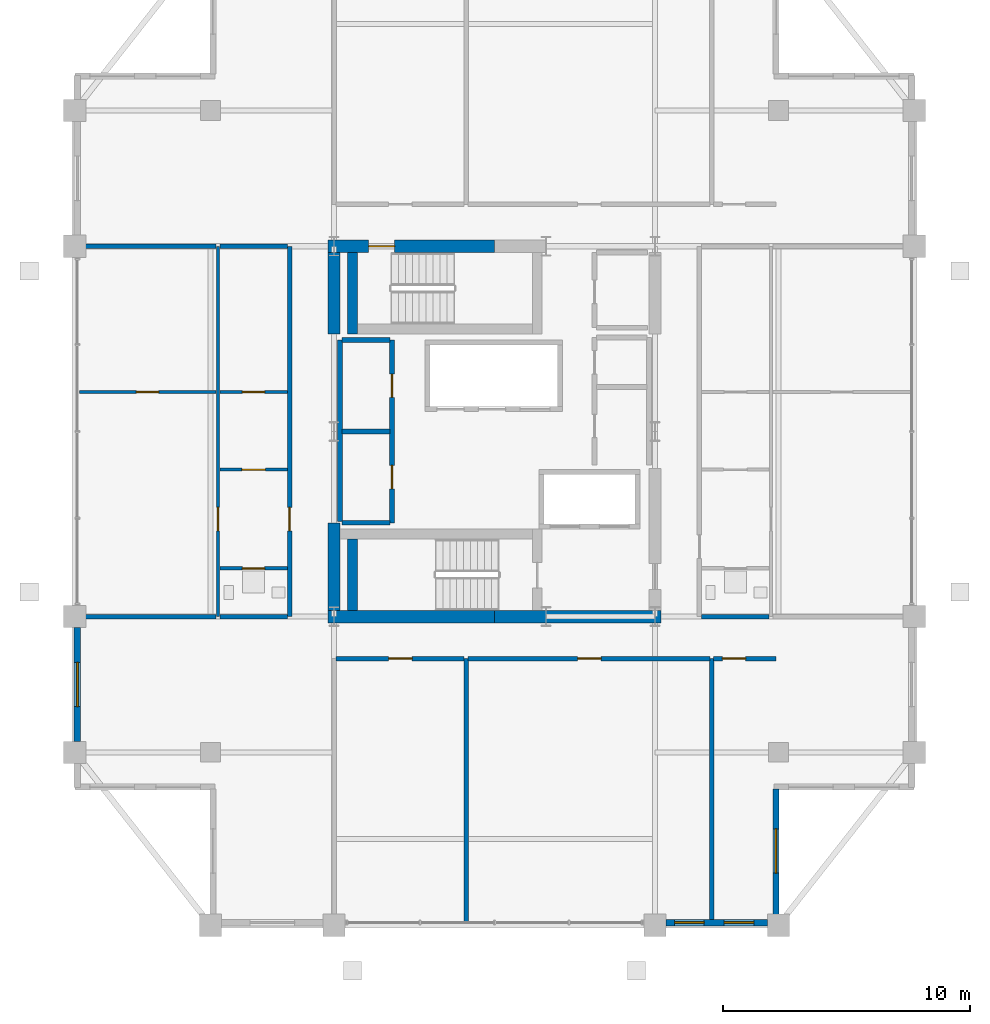
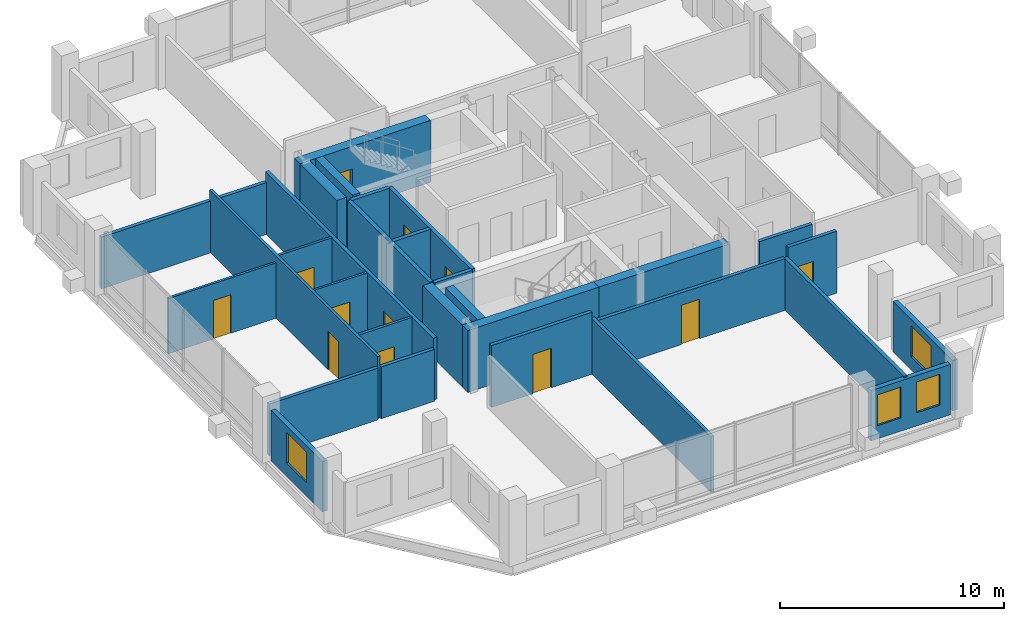
# One storey, part 16 of 21: 31 walls, 12 doors, 4 windows, 16 openings.
"""IFC4 building model written with IfcOpenShell, lengths in metres."""

from ifc_helpers import new_model, si_unit, direction, frame, frame_2d, origin, place, context, subcontext, project, spatial, rectangle, extrude, material, layer, layer_set, type_object, element, fill, save


model = new_model("IFC4")

# Units and contexts
model_context = context("Model", 3, precision=1e-05, world=origin(), true_north=direction((0.0, 1.0)))
body_context = subcontext(model_context, "Body", "Model", "MODEL_VIEW")
ifc_project = project(units=[si_unit("LENGTHUNIT", "METRE"), si_unit("AREAUNIT", "SQUARE_METRE"), si_unit("VOLUMEUNIT", "CUBIC_METRE"), si_unit("PLANEANGLEUNIT", "RADIAN"), si_unit("MASSUNIT", "GRAM", prefix="KILO")], contexts=[model_context])

# Site, building, storey
site_placement = place(None, origin())
site = spatial("IfcSite", under=ifc_project, at=site_placement, CompositionType="ELEMENT")
building_placement = place(site_placement, origin())
building = spatial("IfcBuilding", under=site, at=building_placement, Name="Barlavira Tower and Art Museum", CompositionType="ELEMENT")
storey_placement = place(building_placement, frame((0.0, 0.0, 287.10009765625)))
storey = spatial("IfcBuildingStorey", under=building, at=storey_placement, Name="L75", CompositionType="ELEMENT", Elevation=287.10009765625)

# Wall, opening, door
ifc_material_1 = material(Name="Gypsum acoustic stud partition", Category="gypsum")
ifc_layer_1 = layer(ifc_material_1, 0.1201171875, Name="Gypsum acoustic stud partition")
ifc_layer_set_1 = layer_set([ifc_layer_1], Name="Gypsum acoustic stud partition")
wall_type_1 = type_object("IfcWallType", Name="Apartment Internal Acoustic Partition 120", PredefinedType="PARTITIONING", material=ifc_layer_set_1)
wall_1_placement = place(storey_placement, frame((-11.1201171875, -1.550048828125, 0.0), z_axis=(0.0, 0.0, 1.0), x_axis=(1.0, 0.0, 0.0)))
wall_1 = element("IfcWall", 1, at=wall_1_placement, inside=storey, type_object=wall_type_1, Name="L75 Partition Wall 26", PredefinedType="PARTITIONING", context=body_context, shape_type="SweptSolid", body=[
    extrude(rectangle(XDim=2.740234375, YDim=0.1201171875, at=frame_2d((1.3701171875, 0.0))), origin(), (0.0, 0.0, 1.0), 3.3798828125),
])
opening_1_placement = place(wall_1_placement, frame((0.885009765625, 0.0, 0.0)))
opening_1 = element("IfcOpeningElement", 2, at=opening_1_placement, cuts=wall_1, Name="Opening D-02", PredefinedType="OPENING", context=body_context, shape_type="SweptSolid", body=[
    extrude(rectangle(XDim=0.949951171875, YDim=2.10009765625, at=frame_2d((0.47509765625, 1.050048828125))), frame((0.0, 0.070068359375, 0.0), z_axis=(0.0, -1.0, 0.0), x_axis=(1.0, 0.0, 0.0)), (0.0, 0.0, 1.0), 0.14013671875),
])
ifc_material_2 = material(Name="Engineered coastal hardwood", Category="wood")
door_type_1 = type_object("IfcDoorType", Name="Living and Salon Glazed-Leaf Door 950x2100", OperationType="NOTDEFINED", PredefinedType="DOOR", material=ifc_material_2)
door_1_placement = place(opening_1_placement, origin())
door_1 = element("IfcDoor", 3, at=door_1_placement, inside=storey, type_object=door_type_1, Name="Apartment W1 Kitchen Door", OperationType="SINGLE_SWING_RIGHT", OverallHeight=2.10009765625, OverallWidth=0.949951171875, PredefinedType="DOOR", context=body_context, shape_type="SweptSolid", body=[
    extrude(rectangle(XDim=0.949951171875, YDim=2.10009765625, at=frame_2d((0.47509765625, 1.050048828125))), frame((0.0, 0.02490234375, 0.0), z_axis=(0.0, -1.0, 0.0), x_axis=(1.0, 0.0, 0.0)), (0.0, 0.0, 1.0), 0.050048828125),
])
fill(opening_1, door_1)

wall_2_placement = place(storey_placement, frame((-16.820068359375, 1.60009765625, 0.0), z_axis=(0.0, 0.0, 1.0), x_axis=(1.0, 0.0, 0.0)))
wall_2 = element("IfcWall", 4, at=wall_2_placement, inside=storey, type_object=wall_type_1, Name="L75 Partition Wall 29", PredefinedType="PARTITIONING", context=body_context, shape_type="SweptSolid", body=[
    extrude(rectangle(XDim=5.5400390625, YDim=0.1201171875, at=frame_2d((2.77001953125, 0.0))), origin(), (0.0, 0.0, 1.0), 3.017822265625),
])
opening_2_placement = place(wall_2_placement, frame((2.31005859375, 0.0, 0.0)))
opening_2 = element("IfcOpeningElement", 5, at=opening_2_placement, cuts=wall_2, Name="Opening D-01", PredefinedType="OPENING", context=body_context, shape_type="SweptSolid", body=[
    extrude(rectangle(XDim=0.89990234375, YDim=2.10009765625, at=frame_2d((0.449951171875, 1.050048828125))), frame((0.0, 0.070068359375, 0.0), z_axis=(0.0, -1.0, 0.0), x_axis=(1.0, 0.0, 0.0)), (0.0, 0.0, 1.0), 0.14013671875),
])
door_type_2 = type_object("IfcDoorType", Name="Internal Bedroom Timber Flush Door 900x2100", OperationType="NOTDEFINED", PredefinedType="DOOR", material=ifc_material_2)
door_2_placement = place(opening_2_placement, origin())
door_2 = element("IfcDoor", 6, at=door_2_placement, inside=storey, type_object=door_type_2, Name="Apartment W1 Bedroom 1 Door", OperationType="SINGLE_SWING_LEFT", OverallHeight=2.10009765625, OverallWidth=0.89990234375, PredefinedType="DOOR", context=body_context, shape_type="SweptSolid", body=[
    extrude(rectangle(XDim=0.89990234375, YDim=2.10009765625, at=frame_2d((0.449951171875, 1.050048828125))), frame((0.0, 0.02490234375, 0.0), z_axis=(0.0, -1.0, 0.0), x_axis=(1.0, 0.0, 0.0)), (0.0, 0.0, 1.0), 0.050048828125),
])
fill(opening_2, door_2)

wall_3_placement = place(storey_placement, frame((-11.1201171875, 1.60009765625, 0.0), z_axis=(0.0, 0.0, 1.0), x_axis=(1.0, 0.0, 0.0)))
wall_3 = element("IfcWall", 7, at=wall_3_placement, inside=storey, type_object=wall_type_1, Name="L75 Partition Wall 30", PredefinedType="PARTITIONING", context=body_context, shape_type="SweptSolid", body=[
    extrude(rectangle(XDim=2.740234375, YDim=0.1201171875, at=frame_2d((1.3701171875, 0.0))), origin(), (0.0, 0.0, 1.0), 3.3798828125),
])
opening_3_placement = place(wall_3_placement, frame((0.909912109375, 0.0, 0.0)))
opening_3 = element("IfcOpeningElement", 8, at=opening_3_placement, cuts=wall_3, Name="Opening D-01", PredefinedType="OPENING", context=body_context, shape_type="SweptSolid", body=[
    extrude(rectangle(XDim=0.89990234375, YDim=2.10009765625, at=frame_2d((0.449951171875, 1.050048828125))), frame((0.0, 0.070068359375, 0.0), z_axis=(0.0, -1.0, 0.0), x_axis=(1.0, 0.0, 0.0)), (0.0, 0.0, 1.0), 0.14013671875),
])
door_3_placement = place(opening_3_placement, origin())
door_3 = element("IfcDoor", 9, at=door_3_placement, inside=storey, type_object=door_type_2, Name="Apartment W1 Walk-In Dressing Room Door", OperationType="SINGLE_SWING_LEFT", OverallHeight=2.10009765625, OverallWidth=0.89990234375, PredefinedType="DOOR", context=body_context, shape_type="SweptSolid", body=[
    extrude(rectangle(XDim=0.89990234375, YDim=2.10009765625, at=frame_2d((0.449951171875, 1.050048828125))), frame((0.0, 0.02490234375, 0.0), z_axis=(0.0, -1.0, 0.0), x_axis=(1.0, 0.0, 0.0)), (0.0, 0.0, 1.0), 0.050048828125),
])
fill(opening_3, door_3)

# Walls
ifc_material_3 = material(Name="Concrete C60", Category="concrete")
ifc_layer_2 = layer(ifc_material_3, 0.5, Name="Concrete C60")
ifc_layer_set_2 = layer_set([ifc_layer_2], Name="Concrete C60")
wall_type_2 = type_object("IfcWallType", Name="Core Structural Shear Wall 500 Concrete C60", PredefinedType="SHEAR", material=ifc_layer_set_2)
for number, where, z_axis, x_axis, name in (
    (10, (-6.75, -7.5, 0.0), (0.0, 0.0, 1.0), (1.0, 0.0, 0.0), "L75 Core Shear Wall CS-SW"),
    (11, (0.0, -7.5, 0.0), (0.0, 0.0, 1.0), (1.0, 0.0, 0.0), "L75 Core Shear Wall CS-SE"),
):
    element("IfcWall", number, at=place(storey_placement, frame(where, z_axis=z_axis, x_axis=x_axis)), inside=storey, type_object=wall_type_2, Name=name, PredefinedType="SHEAR", context=body_context, shape_type="SweptSolid", body=[
        extrude(rectangle(XDim=6.75, YDim=0.5, at=frame_2d((3.375, 0.0))), origin(), (0.0, 0.0, 1.0), 3.3798828125),
    ])

# Wall, opening, door
wall_4_placement = place(storey_placement, frame((-6.75, 7.5, 0.0), z_axis=(0.0, 0.0, 1.0), x_axis=(1.0, 0.0, 0.0)))
wall_4 = element("IfcWall", 12, at=wall_4_placement, inside=storey, type_object=wall_type_2, Name="L75 Core Shear Wall CS-NW", PredefinedType="SHEAR", context=body_context, shape_type="SweptSolid", body=[
    extrude(rectangle(XDim=6.75, YDim=0.5, at=frame_2d((3.375, 0.0))), origin(), (0.0, 0.0, 1.0), 3.3798828125),
])
opening_4_placement = place(wall_4_placement, frame((1.64990234375, 0.0, 0.0)))
opening_4 = element("IfcOpeningElement", 13, at=opening_4_placement, cuts=wall_4, Name="Opening FD-90", PredefinedType="OPENING", context=body_context, shape_type="SweptSolid", body=[
    extrude(rectangle(XDim=1.050048828125, YDim=2.14990234375, at=frame_2d((0.52490234375, 1.074951171875))), frame((0.0, 0.260009765625, 0.0), z_axis=(0.0, -1.0, 0.0), x_axis=(1.0, 0.0, 0.0)), (0.0, 0.0, 1.0), 0.52001953125),
])
ifc_material_4 = material(Name="Brushed stainless steel", Category="steel")
door_type_3 = type_object("IfcDoorType", Name="Stair and Refuge Fire Door 1050x2150 FD90S", OperationType="NOTDEFINED", PredefinedType="DOOR", material=ifc_material_4)
door_4_placement = place(opening_4_placement, origin())
door_4 = element("IfcDoor", 14, at=door_4_placement, inside=storey, type_object=door_type_3, Name="L75 Stair ST-T2 Fire Door", OperationType="SINGLE_SWING_LEFT", OverallHeight=2.14990234375, OverallWidth=1.050048828125, PredefinedType="DOOR", context=body_context, shape_type="SweptSolid", body=[
    extrude(rectangle(XDim=1.050048828125, YDim=2.14990234375, at=frame_2d((0.52490234375, 1.074951171875))), frame((0.0, 0.02490234375, 0.0), z_axis=(0.0, -1.0, 0.0), x_axis=(1.0, 0.0, 0.0)), (0.0, 0.0, 1.0), 0.050048828125),
])
fill(opening_4, door_4)

# Walls
wall_5_placement = place(storey_placement, frame((-6.5, -7.25, 0.0), z_axis=(0.0, 0.0, 1.0), x_axis=(0.0, 1.0, 0.0)))
element("IfcWall", 15, at=wall_5_placement, inside=storey, type_object=wall_type_2, Name="L75 Core Shear Wall CS-W1", PredefinedType="SHEAR", context=body_context, shape_type="SweptSolid", body=[
    extrude(rectangle(XDim=3.550048828125, YDim=0.5, at=frame_2d((1.77490234375, 0.0))), origin(), (0.0, 0.0, 1.0), 3.3798828125),
])
wall_6_placement = place(storey_placement, frame((-6.5, 3.949951171875, 0.0), z_axis=(0.0, 0.0, 1.0), x_axis=(0.0, 1.0, 0.0)))
element("IfcWall", 16, at=wall_6_placement, inside=storey, type_object=wall_type_2, Name="L75 Core Shear Wall CS-W2", PredefinedType="SHEAR", context=body_context, shape_type="SweptSolid", body=[
    extrude(rectangle(XDim=3.300048828125, YDim=0.5, at=frame_2d((1.64990234375, 0.0))), origin(), (0.0, 0.0, 1.0), 3.3798828125),
])
ifc_material_5 = material(Name="Autoclaved aerated concrete masonry", Category="masonry")
ifc_layer_3 = layer(ifc_material_5, 0.199951171875, Name="Autoclaved aerated concrete masonry")
ifc_layer_set_3 = layer_set([ifc_layer_3], Name="Autoclaved aerated concrete masonry")
wall_type_3 = type_object("IfcWallType", Name="Fire Compartment and Shaft Wall 200", PredefinedType="SOLIDWALL", material=ifc_layer_set_3)
wall_7_placement = place(storey_placement, frame((-6.25, -3.639892578125, 0.0), z_axis=(0.0, 0.0, 1.0), x_axis=(0.0, 1.0, 0.0)))
element("IfcWall", 17, at=wall_7_placement, inside=storey, type_object=wall_type_3, Name="L75 Partition Wall 5", PredefinedType="SOLIDWALL", context=body_context, shape_type="SweptSolid", body=[
    extrude(rectangle(XDim=7.33984375, YDim=0.199951171875, at=frame_2d((3.669921875, 0.0))), origin(), (0.0, 0.0, 1.0), 3.3798828125),
])

# Wall, openings, doors
wall_8_placement = place(storey_placement, frame((-4.14990234375, -3.699951171875, 0.0), z_axis=(0.0, 0.0, 1.0), x_axis=(0.0, 1.0, 0.0)))
wall_8 = element("IfcWall", 18, at=wall_8_placement, inside=storey, type_object=wall_type_3, Name="L75 Partition Wall 6", PredefinedType="SOLIDWALL", context=body_context, shape_type="SweptSolid", body=[
    extrude(rectangle(XDim=7.39990234375, YDim=0.199951171875, at=frame_2d((3.699951171875, 0.0))), origin(), (0.0, 0.0, 1.0), 3.3798828125),
])
opening_5_placement = place(wall_8_placement, frame((1.375, 0.0, 0.0)))
opening_5 = element("IfcOpeningElement", 19, at=opening_5_placement, cuts=wall_8, Name="Opening FD-60", PredefinedType="OPENING", context=body_context, shape_type="SweptSolid", body=[
    extrude(rectangle(XDim=0.949951171875, YDim=2.14990234375, at=frame_2d((0.47509765625, 1.074951171875))), frame((0.0, 0.10986328125, 0.0), z_axis=(0.0, -1.0, 0.0), x_axis=(1.0, 0.0, 0.0)), (0.0, 0.0, 1.0), 0.219970703125),
])
opening_6_placement = place(wall_8_placement, frame((5.074951171875, 0.0, 0.0)))
opening_6 = element("IfcOpeningElement", 20, at=opening_6_placement, cuts=wall_8, Name="Opening FD-60", PredefinedType="OPENING", context=body_context, shape_type="SweptSolid", body=[
    extrude(rectangle(XDim=0.949951171875, YDim=2.14990234375, at=frame_2d((0.47509765625, 1.074951171875))), frame((0.0, 0.10986328125, 0.0), z_axis=(0.0, -1.0, 0.0), x_axis=(1.0, 0.0, 0.0)), (0.0, 0.0, 1.0), 0.219970703125),
])
door_type_4 = type_object("IfcDoorType", Name="Apartment Entrance and Riser Fire Door 950x2150 FD60S", OperationType="NOTDEFINED", PredefinedType="DOOR", material=ifc_material_4)
door_5_placement = place(opening_5_placement, origin())
door_5 = element("IfcDoor", 21, at=door_5_placement, inside=storey, type_object=door_type_4, Name="Reclaimed Core Linen and Amenity Store Door", OperationType="SINGLE_SWING_LEFT", OverallHeight=2.14990234375, OverallWidth=0.949951171875, PredefinedType="DOOR", context=body_context, shape_type="SweptSolid", body=[
    extrude(rectangle(XDim=0.949951171875, YDim=2.14990234375, at=frame_2d((0.47509765625, 1.074951171875))), frame((0.0, 0.02490234375, 0.0), z_axis=(0.0, -1.0, 0.0), x_axis=(1.0, 0.0, 0.0)), (0.0, 0.0, 1.0), 0.050048828125),
])
fill(opening_5, door_5)
door_6_placement = place(opening_6_placement, origin())
door_6 = element("IfcDoor", 22, at=door_6_placement, inside=storey, type_object=door_type_4, Name="Reclaimed Core Telecom and BMS Room Door", OperationType="SINGLE_SWING_RIGHT", OverallHeight=2.14990234375, OverallWidth=0.949951171875, PredefinedType="DOOR", context=body_context, shape_type="SweptSolid", body=[
    extrude(rectangle(XDim=0.949951171875, YDim=2.14990234375, at=frame_2d((0.47509765625, 1.074951171875))), frame((0.0, 0.02490234375, 0.0), z_axis=(0.0, -1.0, 0.0), x_axis=(1.0, 0.0, 0.0)), (0.0, 0.0, 1.0), 0.050048828125),
])
fill(opening_6, door_6)

# Walls
for number, where, z_axis, x_axis, name in (
    (23, (-6.169921875, -3.699951171875, 0.0), (0.0, 0.0, 1.0), (1.0, 0.0, 0.0), "L75 Partition Wall 25"),
    (24, (-6.169921875, 0.0, 0.0), (0.0, 0.0, 1.0), (1.0, 0.0, 0.0), "L75 Partition Wall 28"),
    (25, (-6.169921875, 3.699951171875, 0.0), (0.0, 0.0, 1.0), (1.0, 0.0, 0.0), "L75 Partition Wall 34"),
):
    element("IfcWall", number, at=place(storey_placement, frame(where, z_axis=z_axis, x_axis=x_axis)), inside=storey, type_object=wall_type_3, Name=name, PredefinedType="SOLIDWALL", context=body_context, shape_type="SweptSolid", body=[
        extrude(rectangle(XDim=1.93994140625, YDim=0.199951171875, at=frame_2d((0.969970703125, 0.0))), origin(), (0.0, 0.0, 1.0), 3.3798828125),
    ])

# Wall, opening, door
ifc_layer_4 = layer(ifc_material_1, 0.179931640625, Name="Gypsum acoustic stud partition")
ifc_layer_set_4 = layer_set([ifc_layer_4], Name="Gypsum acoustic stud partition")
wall_type_4 = type_object("IfcWallType", Name="Inter-Tenancy Party Partition Wall 180", PredefinedType="PARTITIONING", material=ifc_layer_set_4)
wall_9_placement = place(storey_placement, frame((-8.300048828125, -7.5, 0.0), z_axis=(0.0, 0.0, 1.0), x_axis=(0.0, 1.0, 0.0)))
wall_9 = element("IfcWall", 26, at=wall_9_placement, inside=storey, type_object=wall_type_4, Name="L75 Partition Wall 2", PredefinedType="PARTITIONING", context=body_context, shape_type="SweptSolid", body=[
    extrude(rectangle(XDim=15.0, YDim=0.179931640625, at=frame_2d((7.5, 0.0))), origin(), (0.0, 0.0, 1.0), 3.3798828125),
])
opening_7_placement = place(wall_9_placement, frame((3.47509765625, 0.0, 0.0)))
opening_7 = element("IfcOpeningElement", 27, at=opening_7_placement, cuts=wall_9, Name="Opening FD-60", PredefinedType="OPENING", context=body_context, shape_type="SweptSolid", body=[
    extrude(rectangle(XDim=0.949951171875, YDim=2.14990234375, at=frame_2d((0.47509765625, 1.074951171875))), frame((0.0, 0.10009765625, 0.0), z_axis=(0.0, -1.0, 0.0), x_axis=(1.0, 0.0, 0.0)), (0.0, 0.0, 1.0), 0.199951171875),
])
door_7_placement = place(opening_7_placement, origin())
door_7 = element("IfcDoor", 28, at=door_7_placement, inside=storey, type_object=door_type_4, Name="Apartment Entrance Hall W1 Door", OperationType="SINGLE_SWING_LEFT", OverallHeight=2.14990234375, OverallWidth=0.949951171875, PredefinedType="DOOR", context=body_context, shape_type="SweptSolid", body=[
    extrude(rectangle(XDim=0.949951171875, YDim=2.14990234375, at=frame_2d((0.47509765625, 1.074951171875))), frame((0.0, 0.02490234375, 0.0), z_axis=(0.0, -1.0, 0.0), x_axis=(1.0, 0.0, 0.0)), (0.0, 0.0, 1.0), 0.050048828125),
])
fill(opening_7, door_7)

# Walls
wall_10_placement = place(storey_placement, frame((-1.14990234375, -19.89990234375, 0.0), z_axis=(0.0, 0.0, 1.0), x_axis=(0.0, 1.0, 0.0)))
element("IfcWall", 29, at=wall_10_placement, inside=storey, type_object=wall_type_4, Name="L75 Partition Wall 7", PredefinedType="PARTITIONING", context=body_context, shape_type="SweptSolid", body=[
    extrude(rectangle(XDim=10.699951171875, YDim=0.179931640625, at=frame_2d((5.35009765625, 0.0))), origin(), (0.0, 0.0, 1.0), 3.017822265625),
])
wall_11_placement = place(storey_placement, frame((8.800048828125, -19.89990234375, 0.0), z_axis=(0.0, 0.0, 1.0), x_axis=(0.0, 1.0, 0.0)))
element("IfcWall", 30, at=wall_11_placement, inside=storey, type_object=wall_type_4, Name="L75 Partition Wall 13", PredefinedType="PARTITIONING", context=body_context, shape_type="SweptSolid", body=[
    extrude(rectangle(XDim=10.699951171875, YDim=0.179931640625, at=frame_2d((5.35009765625, 0.0))), origin(), (0.0, 0.0, 1.0), 2.825927734375),
])

# Wall, opening, door
wall_12_placement = place(storey_placement, frame((-6.419921875, -9.199951171875, 0.0), z_axis=(0.0, 0.0, 1.0), x_axis=(1.0, 0.0, 0.0)))
wall_12 = element("IfcWall", 31, at=wall_12_placement, inside=storey, type_object=wall_type_4, Name="L75 Partition Wall 16", PredefinedType="PARTITIONING", context=body_context, shape_type="SweptSolid", body=[
    extrude(rectangle(XDim=5.18994140625, YDim=0.179931640625, at=frame_2d((2.594970703125, 0.0))), origin(), (0.0, 0.0, 1.0), 3.3798828125),
])
opening_8_placement = place(wall_12_placement, frame((2.135009765625, 0.0, 0.0)))
opening_8 = element("IfcOpeningElement", 32, at=opening_8_placement, cuts=wall_12, Name="Opening FD-60", PredefinedType="OPENING", context=body_context, shape_type="SweptSolid", body=[
    extrude(rectangle(XDim=0.949951171875, YDim=2.14990234375, at=frame_2d((0.47509765625, 1.074951171875))), frame((0.0, 0.10009765625, 0.0), z_axis=(0.0, -1.0, 0.0), x_axis=(1.0, 0.0, 0.0)), (0.0, 0.0, 1.0), 0.199951171875),
])
door_8_placement = place(opening_8_placement, origin())
door_8 = element("IfcDoor", 33, at=door_8_placement, inside=storey, type_object=door_type_4, Name="Resident Art Collectors Salon Door", OperationType="SINGLE_SWING_RIGHT", OverallHeight=2.14990234375, OverallWidth=0.949951171875, PredefinedType="DOOR", context=body_context, shape_type="SweptSolid", body=[
    extrude(rectangle(XDim=0.949951171875, YDim=2.14990234375, at=frame_2d((0.47509765625, 1.074951171875))), frame((0.0, 0.02490234375, 0.0), z_axis=(0.0, -1.0, 0.0), x_axis=(1.0, 0.0, 0.0)), (0.0, 0.0, 1.0), 0.050048828125),
])
fill(opening_8, door_8)

wall_13_placement = place(storey_placement, frame((-1.070068359375, -9.199951171875, 0.0), z_axis=(0.0, 0.0, 1.0), x_axis=(1.0, 0.0, 0.0)))
wall_13 = element("IfcWall", 34, at=wall_13_placement, inside=storey, type_object=wall_type_4, Name="L75 Partition Wall 17", PredefinedType="PARTITIONING", context=body_context, shape_type="SweptSolid", body=[
    extrude(rectangle(XDim=9.7900390625, YDim=0.179931640625, at=frame_2d((4.89501953125, 0.0))), origin(), (0.0, 0.0, 1.0), 2.825927734375),
])
opening_9_placement = place(wall_13_placement, frame((4.43505859375, 0.0, 0.0)))
opening_9 = element("IfcOpeningElement", 35, at=opening_9_placement, cuts=wall_13, Name="Opening FD-60", PredefinedType="OPENING", context=body_context, shape_type="SweptSolid", body=[
    extrude(rectangle(XDim=0.949951171875, YDim=2.14990234375, at=frame_2d((0.47509765625, 1.074951171875))), frame((0.0, 0.10009765625, 0.0), z_axis=(0.0, -1.0, 0.0), x_axis=(1.0, 0.0, 0.0)), (0.0, 0.0, 1.0), 0.199951171875),
])
door_9_placement = place(opening_9_placement, origin())
door_9 = element("IfcDoor", 36, at=door_9_placement, inside=storey, type_object=door_type_4, Name="Sculpture and Painting Workshop Door", OperationType="SINGLE_SWING_LEFT", OverallHeight=2.14990234375, OverallWidth=0.949951171875, PredefinedType="DOOR", context=body_context, shape_type="SweptSolid", body=[
    extrude(rectangle(XDim=0.949951171875, YDim=2.14990234375, at=frame_2d((0.47509765625, 1.074951171875))), frame((0.0, 0.02490234375, 0.0), z_axis=(0.0, -1.0, 0.0), x_axis=(1.0, 0.0, 0.0)), (0.0, 0.0, 1.0), 0.050048828125),
])
fill(opening_9, door_9)

wall_14_placement = place(storey_placement, frame((8.8798828125, -9.199951171875, 0.0), z_axis=(0.0, 0.0, 1.0), x_axis=(1.0, 0.0, 0.0)))
wall_14 = element("IfcWall", 37, at=wall_14_placement, inside=storey, type_object=wall_type_4, Name="L75 Partition Wall 18", PredefinedType="PARTITIONING", context=body_context, shape_type="SweptSolid", body=[
    extrude(rectangle(XDim=2.52001953125, YDim=0.179931640625, at=frame_2d((1.260009765625, 0.0))), origin(), (0.0, 0.0, 1.0), 3.3798828125),
])
opening_10_placement = place(wall_14_placement, frame((0.344970703125, 0.0, 0.0)))
opening_10 = element("IfcOpeningElement", 38, at=opening_10_placement, cuts=wall_14, Name="Opening FD-60", PredefinedType="OPENING", context=body_context, shape_type="SweptSolid", body=[
    extrude(rectangle(XDim=0.949951171875, YDim=2.14990234375, at=frame_2d((0.47509765625, 1.074951171875))), frame((0.0, 0.10009765625, 0.0), z_axis=(0.0, -1.0, 0.0), x_axis=(1.0, 0.0, 0.0)), (0.0, 0.0, 1.0), 0.199951171875),
])
door_10_placement = place(opening_10_placement, origin())
door_10 = element("IfcDoor", 39, at=door_10_placement, inside=storey, type_object=door_type_4, Name="Climate-Controlled Wine Tasting Room Door", OperationType="SINGLE_SWING_RIGHT", OverallHeight=2.14990234375, OverallWidth=0.949951171875, PredefinedType="DOOR", context=body_context, shape_type="SweptSolid", body=[
    extrude(rectangle(XDim=0.949951171875, YDim=2.14990234375, at=frame_2d((0.47509765625, 1.074951171875))), frame((0.0, 0.02490234375, 0.0), z_axis=(0.0, -1.0, 0.0), x_axis=(1.0, 0.0, 0.0)), (0.0, 0.0, 1.0), 0.050048828125),
])
fill(opening_10, door_10)

# Walls
wall_15_placement = place(storey_placement, frame((-16.89990234375, -7.5, 0.0), z_axis=(0.0, 0.0, 1.0), x_axis=(1.0, 0.0, 0.0)))
element("IfcWall", 40, at=wall_15_placement, inside=storey, type_object=wall_type_4, Name="L75 Partition Wall 19", PredefinedType="PARTITIONING", context=body_context, shape_type="SweptSolid", body=[
    extrude(rectangle(XDim=5.619873046875, YDim=0.179931640625, at=frame_2d((2.81005859375, 0.0))), origin(), (0.0, 0.0, 1.0), 2.825927734375),
])
for number, where, z_axis, x_axis, name in (
    (41, (-11.1201171875, -7.5, 0.0), (0.0, 0.0, 1.0), (1.0, 0.0, 0.0), "L75 Partition Wall 20"),
    (42, (8.3798828125, -7.5, 0.0), (0.0, 0.0, 1.0), (1.0, 0.0, 0.0), "L75 Partition Wall 21"),
):
    element("IfcWall", number, at=place(storey_placement, frame(where, z_axis=z_axis, x_axis=x_axis)), inside=storey, type_object=wall_type_4, Name=name, PredefinedType="PARTITIONING", context=body_context, shape_type="SweptSolid", body=[
        extrude(rectangle(XDim=2.740234375, YDim=0.179931640625, at=frame_2d((1.3701171875, 0.0))), origin(), (0.0, 0.0, 1.0), 2.825927734375),
    ])
wall_16_placement = place(storey_placement, frame((-16.89990234375, 7.5, 0.0), z_axis=(0.0, 0.0, 1.0), x_axis=(1.0, 0.0, 0.0)))
element("IfcWall", 43, at=wall_16_placement, inside=storey, type_object=wall_type_4, Name="L75 Partition Wall 38", PredefinedType="PARTITIONING", context=body_context, shape_type="SweptSolid", body=[
    extrude(rectangle(XDim=5.619873046875, YDim=0.179931640625, at=frame_2d((2.81005859375, 0.0))), origin(), (0.0, 0.0, 1.0), 2.825927734375),
])
wall_17_placement = place(storey_placement, frame((-11.1201171875, 7.5, 0.0), z_axis=(0.0, 0.0, 1.0), x_axis=(1.0, 0.0, 0.0)))
element("IfcWall", 44, at=wall_17_placement, inside=storey, type_object=wall_type_4, Name="L75 Partition Wall 39", PredefinedType="PARTITIONING", context=body_context, shape_type="SweptSolid", body=[
    extrude(rectangle(XDim=2.740234375, YDim=0.179931640625, at=frame_2d((1.3701171875, 0.0))), origin(), (0.0, 0.0, 1.0), 2.825927734375),
])

# Wall, opening, door
ifc_layer_5 = layer(ifc_material_1, 0.139892578125, Name="Gypsum acoustic stud partition")
ifc_layer_set_5 = layer_set([ifc_layer_5], Name="Gypsum acoustic stud partition")
wall_type_5 = type_object("IfcWallType", Name="Moisture-Resistant Bathroom Partition 140", PredefinedType="PARTITIONING", material=ifc_layer_set_5)
wall_18_placement = place(storey_placement, frame((-11.199951171875, -7.5, 0.0), z_axis=(0.0, 0.0, 1.0), x_axis=(0.0, 1.0, 0.0)))
wall_18 = element("IfcWall", 45, at=wall_18_placement, inside=storey, type_object=wall_type_5, Name="L75 Partition Wall 1", PredefinedType="PARTITIONING", context=body_context, shape_type="SweptSolid", body=[
    extrude(rectangle(XDim=15.0, YDim=0.139892578125, at=frame_2d((7.5, 0.0))), origin(), (0.0, 0.0, 1.0), 3.3798828125),
])
opening_11_placement = place(wall_18_placement, frame((3.47509765625, 0.0, 0.0)))
opening_11 = element("IfcOpeningElement", 46, at=opening_11_placement, cuts=wall_18, Name="Opening D-02", PredefinedType="OPENING", context=body_context, shape_type="SweptSolid", body=[
    extrude(rectangle(XDim=0.949951171875, YDim=2.10009765625, at=frame_2d((0.47509765625, 1.050048828125))), frame((0.0, 0.080078125, 0.0), z_axis=(0.0, -1.0, 0.0), x_axis=(1.0, 0.0, 0.0)), (0.0, 0.0, 1.0), 0.159912109375),
])
door_11_placement = place(opening_11_placement, origin())
door_11 = element("IfcDoor", 47, at=door_11_placement, inside=storey, type_object=door_type_1, Name="Apartment W1 Living Lounge Door", OperationType="SINGLE_SWING_RIGHT", OverallHeight=2.10009765625, OverallWidth=0.949951171875, PredefinedType="DOOR", context=body_context, shape_type="SweptSolid", body=[
    extrude(rectangle(XDim=0.949951171875, YDim=2.10009765625, at=frame_2d((0.47509765625, 1.050048828125))), frame((0.0, 0.02490234375, 0.0), z_axis=(0.0, -1.0, 0.0), x_axis=(1.0, 0.0, 0.0)), (0.0, 0.0, 1.0), 0.050048828125),
])
fill(opening_11, door_11)

wall_19_placement = place(storey_placement, frame((-11.1201171875, -5.550048828125, 0.0), z_axis=(0.0, 0.0, 1.0), x_axis=(1.0, 0.0, 0.0)))
wall_19 = element("IfcWall", 48, at=wall_19_placement, inside=storey, type_object=wall_type_5, Name="L75 Partition Wall 23", PredefinedType="PARTITIONING", context=body_context, shape_type="SweptSolid", body=[
    extrude(rectangle(XDim=2.740234375, YDim=0.139892578125, at=frame_2d((1.3701171875, 0.0))), origin(), (0.0, 0.0, 1.0), 3.3798828125),
])
opening_12_placement = place(wall_19_placement, frame((0.909912109375, 0.0, 0.0)))
opening_12 = element("IfcOpeningElement", 49, at=opening_12_placement, cuts=wall_19, Name="Opening D-WC", PredefinedType="OPENING", context=body_context, shape_type="SweptSolid", body=[
    extrude(rectangle(XDim=0.89990234375, YDim=2.10009765625, at=frame_2d((0.449951171875, 1.050048828125))), frame((0.0, 0.080078125, 0.0), z_axis=(0.0, -1.0, 0.0), x_axis=(1.0, 0.0, 0.0)), (0.0, 0.0, 1.0), 0.159912109375),
])
door_type_5 = type_object("IfcDoorType", Name="Accessible Bathroom Flush Door 900x2100", OperationType="NOTDEFINED", PredefinedType="DOOR", material=ifc_material_2)
door_12_placement = place(opening_12_placement, origin())
door_12 = element("IfcDoor", 50, at=door_12_placement, inside=storey, type_object=door_type_5, Name="Apartment W1 Hall Bathroom Door", OperationType="SINGLE_SWING_RIGHT", OverallHeight=2.10009765625, OverallWidth=0.89990234375, PredefinedType="DOOR", context=body_context, shape_type="SweptSolid", body=[
    extrude(rectangle(XDim=0.89990234375, YDim=2.10009765625, at=frame_2d((0.449951171875, 1.050048828125))), frame((0.0, 0.02490234375, 0.0), z_axis=(0.0, -1.0, 0.0), x_axis=(1.0, 0.0, 0.0)), (0.0, 0.0, 1.0), 0.050048828125),
])
fill(opening_12, door_12)

# Wall, openings, windows
ifc_material_6 = material(Name="Precast concrete C40", Category="concrete")
ifc_layer_6 = layer(ifc_material_6, 0.25, Name="Precast concrete C40")
ifc_layer_set_6 = layer_set([ifc_layer_6], Name="Precast concrete C40")
wall_type_6 = type_object("IfcWallType", Name="Notched Corner Spandrel Wall 250 Precast Concrete C40", PredefinedType="SOLIDWALL", material=ifc_layer_set_6)
wall_20_placement = place(storey_placement, frame((6.945068359375, -19.89990234375, 0.0), z_axis=(0.0, 0.0, 1.0), x_axis=(1.0, 0.0, 0.0)))
wall_20 = element("IfcWall", 51, at=wall_20_placement, inside=storey, type_object=wall_type_6, Name="L75 Coastal Facade Pier Wall CW4-L75-S-3", PredefinedType="SOLIDWALL", context=body_context, shape_type="SweptSolid", body=[
    extrude(rectangle(XDim=4.10986328125, YDim=0.25, at=frame_2d((2.054931640625, 0.0))), origin(), (0.0, 0.0, 1.0), 2.747802734375),
])
opening_13_placement = place(wall_20_placement, frame((0.35009765625, 0.0, 0.719970703125)))
opening_13 = element("IfcOpeningElement", 52, at=opening_13_placement, cuts=wall_20, Name="Opening WN-05", PredefinedType="OPENING", context=body_context, shape_type="SweptSolid", body=[
    extrude(rectangle(XDim=1.199951171875, YDim=1.679931640625, at=frame_2d((0.60009765625, 0.83984375))), frame((0.0, 0.135009765625, 0.0), z_axis=(0.0, -1.0, 0.0), x_axis=(1.0, 0.0, 0.0)), (0.0, 0.0, 1.0), 0.27001953125),
])
opening_14_placement = place(wall_20_placement, frame((2.360107421875, 0.0, 0.719970703125)))
opening_14 = element("IfcOpeningElement", 53, at=opening_14_placement, cuts=wall_20, Name="Opening WN-05", PredefinedType="OPENING", context=body_context, shape_type="SweptSolid", body=[
    extrude(rectangle(XDim=1.199951171875, YDim=1.679931640625, at=frame_2d((0.60009765625, 0.83984375))), frame((0.0, 0.135009765625, 0.0), z_axis=(0.0, -1.0, 0.0), x_axis=(1.0, 0.0, 0.0)), (0.0, 0.0, 1.0), 0.27001953125),
])
ifc_material_7 = material(Name="Low-iron coastal laminated glass", Category="glass")
window_type_1 = type_object("IfcWindowType", Name="Recessed Flank Pier Punch Window 1200x1680", PartitioningType="SINGLE_PANEL", PredefinedType="WINDOW", material=ifc_material_7)
window_1_placement = place(opening_13_placement, origin())
window_1 = element("IfcWindow", 54, at=window_1_placement, inside=storey, type_object=window_type_1, Name="L75 Punched Facade Window EWP-CW4-L75-S-3-1", OverallHeight=1.679931640625, OverallWidth=1.199951171875, PartitioningType="SINGLE_PANEL", PredefinedType="WINDOW", context=body_context, shape_type="SweptSolid", body=[
    extrude(rectangle(XDim=1.199951171875, YDim=1.679931640625, at=frame_2d((0.60009765625, 0.83984375))), frame((0.0, 0.030029296875, 0.0), z_axis=(0.0, -1.0, 0.0), x_axis=(1.0, 0.0, 0.0)), (0.0, 0.0, 1.0), 0.06005859375),
])
fill(opening_13, window_1)
window_2_placement = place(opening_14_placement, origin())
window_2 = element("IfcWindow", 55, at=window_2_placement, inside=storey, type_object=window_type_1, Name="L75 Punched Facade Window EWP-CW4-L75-S-3-2", OverallHeight=1.679931640625, OverallWidth=1.199951171875, PartitioningType="SINGLE_PANEL", PredefinedType="WINDOW", context=body_context, shape_type="SweptSolid", body=[
    extrude(rectangle(XDim=1.199951171875, YDim=1.679931640625, at=frame_2d((0.60009765625, 0.83984375))), frame((0.0, 0.030029296875, 0.0), z_axis=(0.0, -1.0, 0.0), x_axis=(1.0, 0.0, 0.0)), (0.0, 0.0, 1.0), 0.06005859375),
])
fill(opening_14, window_2)

# Wall, opening, window
wall_21_placement = place(storey_placement, frame((-16.89990234375, -7.945068359375, 0.0), z_axis=(0.0, 0.0, 1.0), x_axis=(0.0, -1.0, 0.0)))
wall_21 = element("IfcWall", 56, at=wall_21_placement, inside=storey, type_object=wall_type_6, Name="L75 Coastal Facade Pier Wall CW4-L75-W-4", PredefinedType="SOLIDWALL", context=body_context, shape_type="SweptSolid", body=[
    extrude(rectangle(XDim=4.60986328125, YDim=0.25, at=frame_2d((2.304931640625, 0.0))), origin(), (0.0, 0.0, 1.0), 2.747802734375),
])
opening_15_placement = place(wall_21_placement, frame((1.405029296875, 0.0, 0.719970703125)))
opening_15 = element("IfcOpeningElement", 57, at=opening_15_placement, cuts=wall_21, Name="Opening WN-01", PredefinedType="OPENING", context=body_context, shape_type="SweptSolid", body=[
    extrude(rectangle(XDim=1.800048828125, YDim=1.679931640625, at=frame_2d((0.89990234375, 0.83984375))), frame((0.0, 0.135009765625, 0.0), z_axis=(0.0, -1.0, 0.0), x_axis=(1.0, 0.0, 0.0)), (0.0, 0.0, 1.0), 0.27001953125),
])
window_type_2 = type_object("IfcWindowType", Name="Recessed Notch Corner Punch Window 1800x1680", PartitioningType="SINGLE_PANEL", PredefinedType="WINDOW", material=ifc_material_7)
window_3_placement = place(opening_15_placement, origin())
window_3 = element("IfcWindow", 58, at=window_3_placement, inside=storey, type_object=window_type_2, Name="L75 Punched Facade Window EWP-CW4-L75-W-4-1", OverallHeight=1.679931640625, OverallWidth=1.800048828125, PartitioningType="SINGLE_PANEL", PredefinedType="WINDOW", context=body_context, shape_type="SweptSolid", body=[
    extrude(rectangle(XDim=1.800048828125, YDim=1.679931640625, at=frame_2d((0.89990234375, 0.83984375))), frame((0.0, 0.030029296875, 0.0), z_axis=(0.0, -1.0, 0.0), x_axis=(1.0, 0.0, 0.0)), (0.0, 0.0, 1.0), 0.06005859375),
])
fill(opening_15, window_3)

wall_22_placement = place(storey_placement, frame((11.39990234375, -19.820068359375, 0.0), z_axis=(0.0, 0.0, 1.0), x_axis=(0.0, 1.0, 0.0)))
wall_22 = element("IfcWall", 59, at=wall_22_placement, inside=storey, type_object=wall_type_6, Name="L75 Notch Corner Wall SE1", PredefinedType="SOLIDWALL", context=body_context, shape_type="SweptSolid", body=[
    extrude(rectangle(XDim=5.340087890625, YDim=0.25, at=frame_2d((2.669921875, 0.0))), origin(), (0.0, 0.0, 1.0), 2.747802734375),
])
opening_16_placement = place(wall_22_placement, frame((1.925048828125, 0.0, 0.719970703125)))
opening_16 = element("IfcOpeningElement", 60, at=opening_16_placement, cuts=wall_22, Name="Opening WN-01", PredefinedType="OPENING", context=body_context, shape_type="SweptSolid", body=[
    extrude(rectangle(XDim=1.800048828125, YDim=1.679931640625, at=frame_2d((0.89990234375, 0.83984375))), frame((0.0, 0.135009765625, 0.0), z_axis=(0.0, -1.0, 0.0), x_axis=(1.0, 0.0, 0.0)), (0.0, 0.0, 1.0), 0.27001953125),
])
window_4_placement = place(opening_16_placement, origin())
window_4 = element("IfcWindow", 61, at=window_4_placement, inside=storey, type_object=window_type_2, Name="L75 Punched Facade Window EW-NTC-L75-SE1-1", OverallHeight=1.679931640625, OverallWidth=1.800048828125, PartitioningType="SINGLE_PANEL", PredefinedType="WINDOW", context=body_context, shape_type="SweptSolid", body=[
    extrude(rectangle(XDim=1.800048828125, YDim=1.679931640625, at=frame_2d((0.89990234375, 0.83984375))), frame((0.0, 0.030029296875, 0.0), z_axis=(0.0, -1.0, 0.0), x_axis=(1.0, 0.0, 0.0)), (0.0, 0.0, 1.0), 0.06005859375),
])
fill(opening_16, window_4)

# Walls
ifc_material_8 = material(Name="Concrete C55", Category="concrete")
ifc_layer_7 = layer(ifc_material_8, 0.39990234375, Name="Concrete C55")
ifc_layer_set_7 = layer_set([ifc_layer_7], Name="Concrete C55")
wall_type_7 = type_object("IfcWallType", Name="Upper Core Shear Wall 400 Concrete C55", PredefinedType="SHEAR", material=ifc_layer_set_7)
wall_23_placement = place(storey_placement, frame((-5.75, -7.25, 0.0), z_axis=(0.0, 0.0, 1.0), x_axis=(0.0, 1.0, 0.0)))
element("IfcWall", 62, at=wall_23_placement, inside=storey, type_object=wall_type_7, Name="L75 ST-T1 West Half-Landing Wall", PredefinedType="SHEAR", context=body_context, shape_type="SweptSolid", body=[
    extrude(rectangle(XDim=2.89990234375, YDim=0.39990234375, at=frame_2d((1.449951171875, 0.0))), origin(), (0.0, 0.0, 1.0), 3.3798828125),
])
wall_24_placement = place(storey_placement, frame((-5.75, 3.949951171875, 0.0), z_axis=(0.0, 0.0, 1.0), x_axis=(0.0, 1.0, 0.0)))
element("IfcWall", 63, at=wall_24_placement, inside=storey, type_object=wall_type_7, Name="L75 ST-T2 West Shaft Wall", PredefinedType="SHEAR", context=body_context, shape_type="SweptSolid", body=[
    extrude(rectangle(XDim=3.300048828125, YDim=0.39990234375, at=frame_2d((1.64990234375, 0.0))), origin(), (0.0, 0.0, 1.0), 3.3798828125),
])

save(model, "model.ifc")
